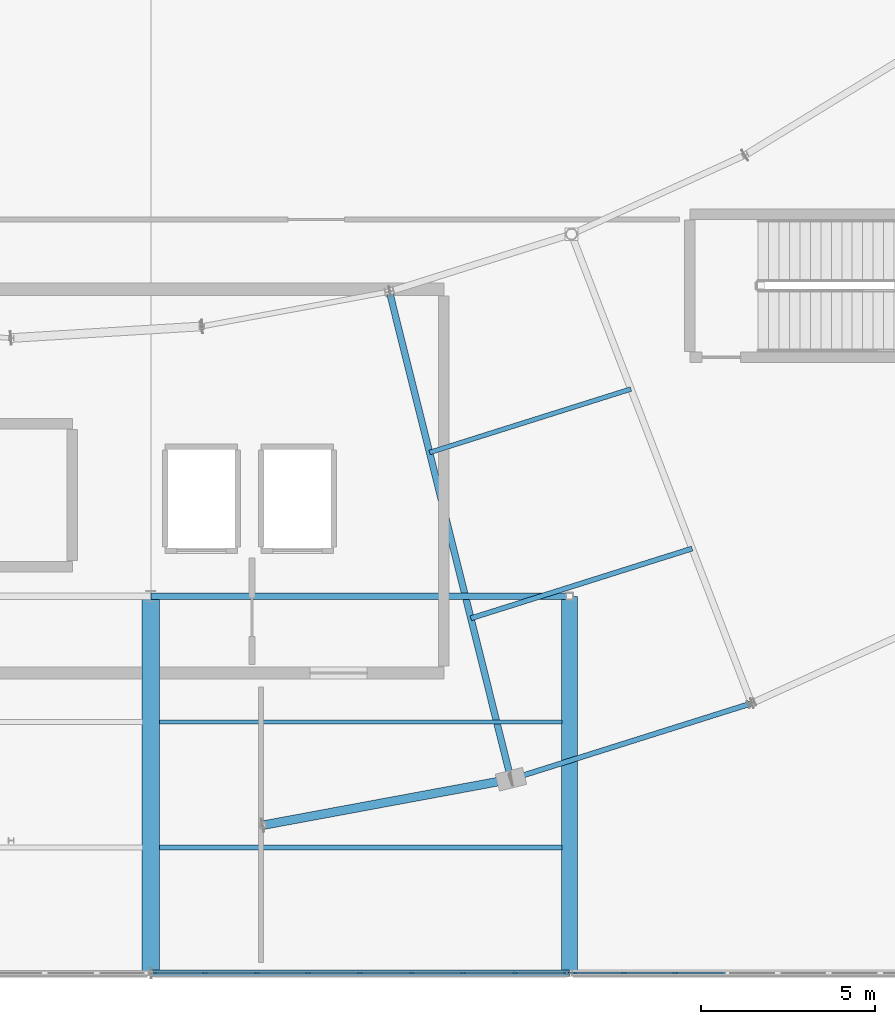
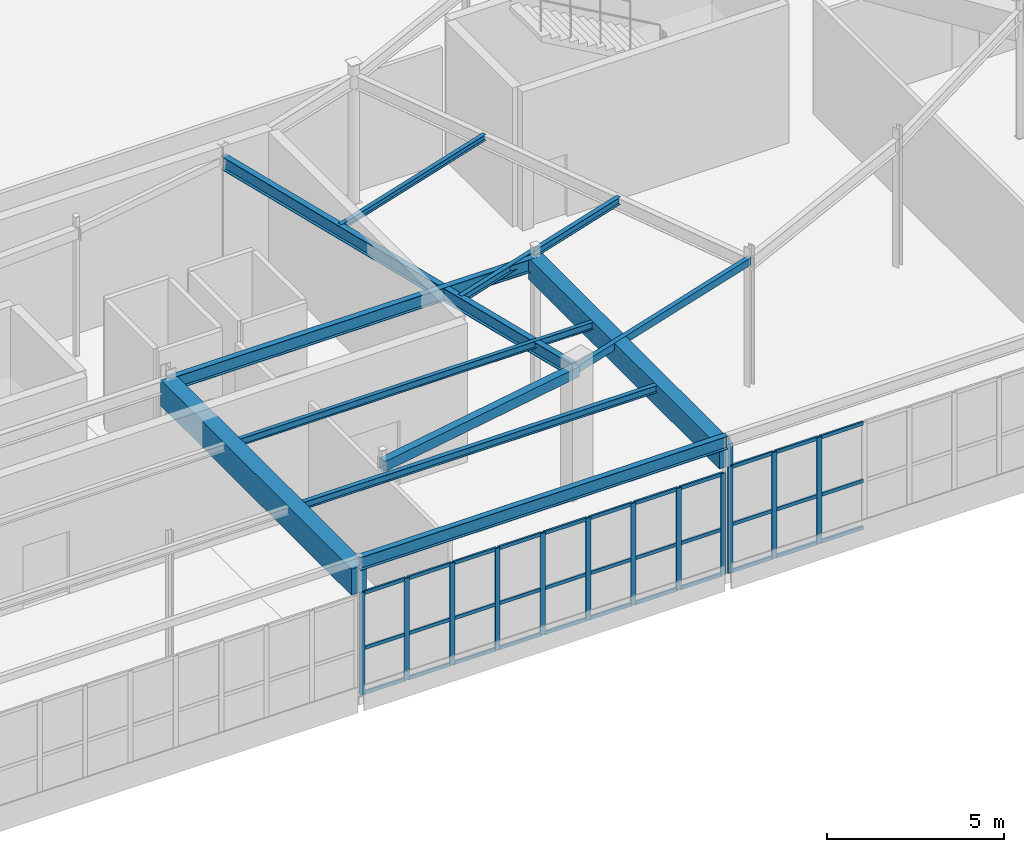
# One storey, part 62 of 186: 45 members, 11 beams, 2 elements without a shape of their own.
"""IFC4 building model written with IfcOpenShell, lengths in metres."""

from ifc_helpers import new_model, si_unit, direction, frame, origin, origin_2d, place, context, subcontext, project, spatial, rectangle, hollow_rectangle, i_section, extrude, material, layer, layer_set, material_profile, profile_set, type_object, element, aggregate, save


model = new_model("IFC4")

# Units and contexts
model_context = context("Model", 3, precision=1e-05, world=origin(), true_north=direction((0.0, 1.0)))
body_context = subcontext(model_context, "Body", "Model", "MODEL_VIEW")
ifc_project = project(units=[si_unit("LENGTHUNIT", "METRE"), si_unit("AREAUNIT", "SQUARE_METRE"), si_unit("VOLUMEUNIT", "CUBIC_METRE"), si_unit("PLANEANGLEUNIT", "RADIAN"), si_unit("MASSUNIT", "GRAM", prefix="KILO")], contexts=[model_context])

# Site, building, storey
site_placement = place(None, origin())
site = spatial("IfcSite", under=ifc_project, at=site_placement, CompositionType="ELEMENT")
building_placement = place(site_placement, origin())
building = spatial("IfcBuilding", under=site, at=building_placement, Name="Tarnwether General Hospital", CompositionType="ELEMENT")
storey_placement = place(building_placement, frame((0.0, 0.0, 9.60009765625)))
storey = spatial("IfcBuildingStorey", under=building, at=storey_placement, Name="L02", CompositionType="ELEMENT", Elevation=9.60009765625)

# Beams
ifc_material_1 = material(Name="Steel Grade 350 (350 MPa)", Category="steel")
ifc_material_profile_1 = material_profile(ifc_material_1, i_section(OverallWidth=0.19091796875, OverallDepth=0.4599609375, WebThickness=0.010009765625, FlangeThickness=0.01611328125, at=origin_2d()), Name="460UB82.1")
ifc_profile_set_1 = profile_set([ifc_material_profile_1], Name="Steel Grade 350 (350 MPa)")
beam_type_1 = type_object("IfcBeamType", Name="BM-G08", PredefinedType="BEAM", material=ifc_profile_set_1)
beam_1_placement = place(storey_placement, frame((106.322021484375, 5.55810546875, 4.199951171875), z_axis=(-0.241941215118, 0.970290909175, 0.0), x_axis=(-0.970290909175, -0.241941215118, 0.0)))
element("IfcBeam", 1, at=beam_1_placement, inside=storey, type_object=beam_type_1, Name="Curved Ward SE Radial Girder BMG-L02-10632_556-10284_1953-2071", PredefinedType="BEAM", context=body_context, shape_type="SweptSolid", body=[
    extrude(i_section(OverallWidth=0.19091796875, OverallDepth=0.4599609375, WebThickness=0.010009765625, FlangeThickness=0.01611328125, at=origin_2d()), origin(), (0.0, 0.0, 1.0), 14.400634765625),
])
ifc_material_2 = material(Name="Steel Grade 350 (350 MPa)", Category="steel")
ifc_material_profile_2 = material_profile(ifc_material_2, i_section(OverallWidth=0.18994140625, OverallDepth=0.4541015625, WebThickness=0.008544921875, FlangeThickness=0.0126953125, at=origin_2d()), Name="460UB67.1")
ifc_profile_set_2 = profile_set([ifc_material_profile_2], Name="Steel Grade 350 (350 MPa)")
beam_type_2 = type_object("IfcBeamType", Name="BM-G10", PredefinedType="BEAM", material=ifc_profile_set_2)
beam_2_placement = place(storey_placement, frame((96.0, 10.800048828125, 4.202880859375), z_axis=(1.0, 0.0, 0.0), x_axis=(0.0, 1.0, 0.0)))
element("IfcBeam", 2, at=beam_2_placement, inside=storey, type_object=beam_type_2, Name="Primary Girder BMG-L02-9600_1080-10800_1080-1523", PredefinedType="BEAM", context=body_context, shape_type="SweptSolid", body=[
    extrude(i_section(OverallWidth=0.18994140625, OverallDepth=0.4541015625, WebThickness=0.008544921875, FlangeThickness=0.0126953125, at=origin_2d()), origin(), (0.0, 0.0, 1.0), 12.0),
])
ifc_material_3 = material(Name="Concrete 40 MPa", Category="concrete")
ifc_material_profile_3 = material_profile(ifc_material_3, rectangle(XDim=0.5, YDim=0.89990234375, at=origin_2d()), Name="RC-BM-500x900")
ifc_profile_set_3 = profile_set([ifc_material_profile_3], Name="Concrete 40 MPa")
beam_type_3 = type_object("IfcBeamType", Name="BM-G12", PredefinedType="BEAM", material=ifc_profile_set_3)
beam_3_placement = place(storey_placement, frame((96.0, 0.0, 3.97998046875), z_axis=(0.0, 1.0, 0.0), x_axis=(-1.0, 0.0, 0.0)))
element("IfcBeam", 3, at=beam_3_placement, inside=storey, type_object=beam_type_3, Name="Primary Girder BMG-L02-9600_0-9600_1080-1522", PredefinedType="BEAM", context=body_context, shape_type="SweptSolid", body=[
    extrude(rectangle(XDim=0.5, YDim=0.89990234375, at=origin_2d()), origin(), (0.0, 0.0, 1.0), 10.800048828125),
])
ifc_material_4 = material(Name="Concrete 40 MPa", Category="concrete")
ifc_material_profile_4 = material_profile(ifc_material_4, rectangle(XDim=0.449951171875, YDim=0.75, at=origin_2d()), Name="RC-BM-450x750")
ifc_profile_set_4 = profile_set([ifc_material_profile_4], Name="Concrete 40 MPa")
beam_type_4 = type_object("IfcBeamType", Name="BM-G13", PredefinedType="BEAM", material=ifc_profile_set_4)
beam_4_placement = place(storey_placement, frame((108.0, 0.0, 4.054931640625), z_axis=(0.0, 1.0, 0.0), x_axis=(-1.0, 0.0, 0.0)))
element("IfcBeam", 4, at=beam_4_placement, inside=storey, type_object=beam_type_4, Name="Primary Girder BMG-L02-10800_0-10800_1080-1534", PredefinedType="BEAM", context=body_context, shape_type="SweptSolid", body=[
    extrude(rectangle(XDim=0.449951171875, YDim=0.75, at=origin_2d()), origin(), (0.0, 0.0, 1.0), 10.800048828125),
])
ifc_material_5 = material(Name="Steel Grade 350 (350 MPa)", Category="steel")
ifc_material_profile_5 = material_profile(ifc_material_5, i_section(OverallWidth=0.14599609375, OverallDepth=0.256103515625, WebThickness=0.00634765625, FlangeThickness=0.010986328125, at=origin_2d()), Name="250UB37.3")
ifc_profile_set_5 = profile_set([ifc_material_profile_5], Name="Steel Grade 350 (350 MPa)")
beam_type_5 = type_object("IfcBeamType", Name="BM-J09", PredefinedType="JOIST", material=ifc_profile_set_5)
beam_5_placement = place(storey_placement, frame((105.172119140625, 10.1689453125, 4.302001953125), z_axis=(0.953671429399, 0.300850136693, 0.0), x_axis=(-0.300850136693, 0.953671429399, 0.0)))
element("IfcBeam", 5, at=beam_5_placement, inside=storey, type_object=beam_type_5, Name="Curved Ward SE Chord Joist BMG-L02-10517_1017-11151_1217-2092", PredefinedType="JOIST", context=body_context, shape_type="SweptSolid", body=[
    extrude(i_section(OverallWidth=0.14599609375, OverallDepth=0.256103515625, WebThickness=0.00634765625, FlangeThickness=0.010986328125, at=origin_2d()), origin(), (0.0, 0.0, 1.0), 6.64794921875),
])
ifc_material_6 = material(Name="Steel Grade 350 (350 MPa)", Category="steel")
ifc_material_profile_6 = material_profile(ifc_material_6, i_section(OverallWidth=0.14599609375, OverallDepth=0.251953125, WebThickness=0.006103515625, FlangeThickness=0.008544921875, at=origin_2d()), Name="250UB31.4")
ifc_profile_set_6 = profile_set([ifc_material_profile_6], Name="Steel Grade 350 (350 MPa)")
beam_type_6 = type_object("IfcBeamType", Name="BM-J10", PredefinedType="JOIST", material=ifc_profile_set_6)
beam_6_placement = place(storey_placement, frame((96.243896484375, 3.60009765625, 4.303955078125), z_axis=(1.0, 0.0, 0.0), x_axis=(0.0, 1.0, 0.0)))
element("IfcBeam", 6, at=beam_6_placement, inside=storey, type_object=beam_type_6, Name="Composite Floor Joist BMG-L02-9624_360-10778_360-1692", PredefinedType="JOIST", context=body_context, shape_type="SweptSolid", body=[
    extrude(i_section(OverallWidth=0.14599609375, OverallDepth=0.251953125, WebThickness=0.006103515625, FlangeThickness=0.008544921875, at=origin_2d()), origin(), (0.0, 0.0, 1.0), 11.537109375),
])
ifc_material_7 = material(Name="Steel Grade 350 (350 MPa)", Category="steel")
ifc_material_profile_7 = material_profile(ifc_material_7, i_section(OverallWidth=0.1240234375, OverallDepth=0.248046875, WebThickness=0.0048828125, FlangeThickness=0.008056640625, at=origin_2d()), Name="250UB25.7")
ifc_profile_set_7 = profile_set([ifc_material_profile_7], Name="Steel Grade 350 (350 MPa)")
beam_type_7 = type_object("IfcBeamType", Name="BM-J11", PredefinedType="JOIST", material=ifc_profile_set_7)
beam_7_placement = place(storey_placement, frame((96.243896484375, 7.199951171875, 4.305908203125), z_axis=(1.0, 0.0, 0.0), x_axis=(0.0, 1.0, 0.0)))
element("IfcBeam", 7, at=beam_7_placement, inside=storey, type_object=beam_type_7, Name="Composite Floor Joist BMG-L02-9624_720-10778_720-1693", PredefinedType="JOIST", context=body_context, shape_type="SweptSolid", body=[
    extrude(i_section(OverallWidth=0.1240234375, OverallDepth=0.248046875, WebThickness=0.0048828125, FlangeThickness=0.008056640625, at=origin_2d()), origin(), (0.0, 0.0, 1.0), 11.537109375),
])
ifc_material_8 = material(Name="Steel Grade 350 (350 MPa)", Category="steel")
ifc_material_profile_8 = material_profile(ifc_material_8, i_section(OverallWidth=0.134033203125, OverallDepth=0.20703125, WebThickness=0.00634765625, FlangeThickness=0.009521484375, at=origin_2d()), Name="200UB29.8")
ifc_profile_set_8 = profile_set([ifc_material_profile_8], Name="Steel Grade 350 (350 MPa)")
beam_type_8 = type_object("IfcBeamType", Name="BM-J12", PredefinedType="JOIST", material=ifc_profile_set_8)
beam_8_placement = place(storey_placement, frame((103.988037109375, 14.919921875, 4.326416015625), z_axis=(0.953725879816, 0.300677478654, 0.0), x_axis=(-0.300677478654, 0.953725879816, 0.0)))
element("IfcBeam", 8, at=beam_8_placement, inside=storey, type_object=beam_type_8, Name="Curved Ward SE Chord Joist BMG-L02-10399_1492-10976_1674-2093", PredefinedType="JOIST", context=body_context, shape_type="SweptSolid", body=[
    extrude(i_section(OverallWidth=0.134033203125, OverallDepth=0.20703125, WebThickness=0.00634765625, FlangeThickness=0.009521484375, at=origin_2d()), origin(), (0.0, 0.0, 1.0), 6.050048828125),
])
ifc_material_9 = material(Name="Steel Grade 350 (350 MPa)", Category="steel")
ifc_material_profile_9 = material_profile(ifc_material_9, i_section(OverallWidth=0.18994140625, OverallDepth=0.4541015625, WebThickness=0.008544921875, FlangeThickness=0.0126953125, at=origin_2d()), Name="460UB67.1")
ifc_profile_set_9 = profile_set([ifc_material_profile_9], Name="Steel Grade 350 (350 MPa)")
beam_type_9 = type_object("IfcBeamType", Name="BM-SP1", PredefinedType="SPANDREL", material=ifc_profile_set_9)
beam_9_placement = place(storey_placement, frame((96.0, 0.0, 4.572998046875), z_axis=(1.0, 0.0, 0.0), x_axis=(0.0, 1.0, 0.0)))
element("IfcBeam", 9, at=beam_9_placement, inside=storey, type_object=beam_type_9, Name="Primary Girder BMG-L02-9600_0-10800_0-1521", PredefinedType="SPANDREL", context=body_context, shape_type="SweptSolid", body=[
    extrude(i_section(OverallWidth=0.18994140625, OverallDepth=0.4541015625, WebThickness=0.008544921875, FlangeThickness=0.0126953125, at=origin_2d()), origin(), (0.0, 0.0, 1.0), 12.0),
])
ifc_material_10 = material(Name="Steel Grade C350L0 (350 MPa)", Category="steel")
ifc_material_profile_10 = material_profile(ifc_material_10, hollow_rectangle(XDim=0.25, YDim=0.35009765625, WallThickness=0.012451171875, at=origin_2d()), Name="RHS350x250x12.5")
ifc_profile_set_10 = profile_set([ifc_material_profile_10], Name="Steel Grade C350L0 (350 MPa)")
beam_type_10 = type_object("IfcBeamType", Name="BM-SP7", PredefinedType="SPANDREL", material=ifc_profile_set_10)
beam_10_placement = place(storey_placement, frame((99.215087890625, 4.240966796875, 4.2548828125), z_axis=(0.98325623662, 0.182228354399, 0.0), x_axis=(-0.182228354399, 0.98325623662, 0.0)))
element("IfcBeam", 10, at=beam_10_placement, inside=storey, type_object=beam_type_10, Name="Curved Ward SE Outer Spandrel BMG-L02-9922_424-10632_556-2088", PredefinedType="SPANDREL", context=body_context, shape_type="SweptSolid", body=[
    extrude(hollow_rectangle(XDim=0.25, YDim=0.35009765625, WallThickness=0.012451171875, at=origin_2d()), origin(), (0.0, 0.0, 1.0), 7.22802734375),
])
ifc_material_11 = material(Name="Steel Grade C350L0 (350 MPa)", Category="steel")
ifc_material_profile_11 = material_profile(ifc_material_11, hollow_rectangle(XDim=0.14990234375, YDim=0.25, WallThickness=0.008056640625, at=origin_2d()), Name="RHS250x150x8")
ifc_profile_set_11 = profile_set([ifc_material_profile_11], Name="Steel Grade C350L0 (350 MPa)")
beam_type_11 = type_object("IfcBeamType", Name="BM-SP8", PredefinedType="SPANDREL", material=ifc_profile_set_11)
beam_11_placement = place(storey_placement, frame((106.322021484375, 5.55810546875, 4.304931640625), z_axis=(0.953698988948, 0.300762761125, 0.0), x_axis=(-0.300762761125, 0.953698988948, 0.0)))
element("IfcBeam", 11, at=beam_11_placement, inside=storey, type_object=beam_type_11, Name="Curved Ward SE Outer Spandrel BMG-L02-10632_556-11322_773-2090", PredefinedType="SPANDREL", context=body_context, shape_type="SweptSolid", body=[
    extrude(hollow_rectangle(XDim=0.14990234375, YDim=0.25, WallThickness=0.008056640625, at=origin_2d()), origin(), (0.0, 0.0, 1.0), 7.227783203125),
])

# Curtain wall, members
ifc_material_12 = material(Name="Anodised aluminium", Category="aluminium")
ifc_layer = layer(ifc_material_12, 0.159912109375)
ifc_layer_set = layer_set([ifc_layer], Name="Anodised aluminium")
curtain_wall_type = type_object("IfcCurtainWallType", Name="CW-13", PredefinedType="NOTDEFINED", material=ifc_layer_set)
curtain_wall_1_placement = place(storey_placement, origin())
curtain_wall_1 = element("IfcCurtainWall", 12, at=curtain_wall_1_placement, inside=storey, type_object=curtain_wall_type, Name="Curtain Wall CWG-L02-1198_0-0410", PredefinedType="NOTDEFINED")
ifc_material_13 = material(Name="Anodised aluminium", Category="aluminium")
ifc_material_profile_12 = material_profile(ifc_material_13, rectangle(XDim=0.06005859375, YDim=0.159912109375, at=origin_2d()), Name="ALU-MUL-60x160")
ifc_profile_set_12 = profile_set([ifc_material_profile_12], Name="Anodised aluminium")
member_type_1 = type_object("IfcMemberType", Name="CW-ML1", PredefinedType="MULLION", material=ifc_profile_set_12)
member_1_placement = place(storey_placement, frame((111.0234375, 0.0, 0.0), z_axis=(0.0, 0.0, 1.0), x_axis=(0.0, -1.0, 0.0)))
member_1 = element("IfcMember", 13, at=member_1_placement, type_object=member_type_1, Name="CW-13 mullion 7", PredefinedType="MULLION", context=body_context, shape_type="SweptSolid", body=[
    extrude(rectangle(XDim=0.06005859375, YDim=0.159912109375, at=origin_2d()), origin(), (0.0, 0.0, 1.0), 3.664794921875),
])
member_2_placement = place(storey_placement, frame((109.5537109375, 0.0, 0.0), z_axis=(0.0, 0.0, 1.0), x_axis=(0.0, -1.0, 0.0)))
member_2 = element("IfcMember", 14, at=member_2_placement, type_object=member_type_1, Name="CW-13 mullion 8", PredefinedType="MULLION", context=body_context, shape_type="SweptSolid", body=[
    extrude(rectangle(XDim=0.06005859375, YDim=0.159912109375, at=origin_2d()), origin(), (0.0, 0.0, 1.0), 3.664794921875),
])
member_3_placement = place(storey_placement, frame((108.114013671875, 0.0, 0.0), z_axis=(0.0, 0.0, 1.0), x_axis=(0.0, -1.0, 0.0)))
member_3 = element("IfcMember", 15, at=member_3_placement, type_object=member_type_1, Name="CW-13 mullion 9", PredefinedType="MULLION", context=body_context, shape_type="SweptSolid", body=[
    extrude(rectangle(XDim=0.06005859375, YDim=0.159912109375, at=origin_2d()), origin(), (0.0, 0.0, 1.0), 3.664794921875),
])

curtain_wall_2_placement = place(storey_placement, origin())
curtain_wall_2 = element("IfcCurtainWall", 16, at=curtain_wall_2_placement, inside=storey, type_object=curtain_wall_type, Name="Curtain Wall CWG-L02-1079_0-0411", PredefinedType="NOTDEFINED")
member_4_placement = place(storey_placement, frame((107.885986328125, 0.0, 0.0), z_axis=(0.0, 0.0, 1.0), x_axis=(0.0, -1.0, 0.0)))
member_4 = element("IfcMember", 17, at=member_4_placement, type_object=member_type_1, Name="CW-13 mullion 1", PredefinedType="MULLION", context=body_context, shape_type="SweptSolid", body=[
    extrude(rectangle(XDim=0.06005859375, YDim=0.159912109375, at=origin_2d()), origin(), (0.0, 0.0, 1.0), 3.514892578125),
])
member_5_placement = place(storey_placement, frame((106.435302734375, 0.0, 0.0), z_axis=(0.0, 0.0, 1.0), x_axis=(0.0, -1.0, 0.0)))
member_5 = element("IfcMember", 18, at=member_5_placement, type_object=member_type_1, Name="CW-13 mullion 2", PredefinedType="MULLION", context=body_context, shape_type="SweptSolid", body=[
    extrude(rectangle(XDim=0.06005859375, YDim=0.159912109375, at=origin_2d()), origin(), (0.0, 0.0, 1.0), 3.514892578125),
])
member_6_placement = place(storey_placement, frame((104.954833984375, 0.0, 0.0), z_axis=(0.0, 0.0, 1.0), x_axis=(0.0, -1.0, 0.0)))
member_6 = element("IfcMember", 19, at=member_6_placement, type_object=member_type_1, Name="CW-13 mullion 3", PredefinedType="MULLION", context=body_context, shape_type="SweptSolid", body=[
    extrude(rectangle(XDim=0.06005859375, YDim=0.159912109375, at=origin_2d()), origin(), (0.0, 0.0, 1.0), 3.514892578125),
])
member_7_placement = place(storey_placement, frame((103.47412109375, 0.0, 0.0), z_axis=(0.0, 0.0, 1.0), x_axis=(0.0, -1.0, 0.0)))
member_7 = element("IfcMember", 20, at=member_7_placement, type_object=member_type_1, Name="CW-13 mullion 4", PredefinedType="MULLION", context=body_context, shape_type="SweptSolid", body=[
    extrude(rectangle(XDim=0.06005859375, YDim=0.159912109375, at=origin_2d()), origin(), (0.0, 0.0, 1.0), 3.514892578125),
])
member_8_placement = place(storey_placement, frame((101.993408203125, 0.0, 0.0), z_axis=(0.0, 0.0, 1.0), x_axis=(0.0, -1.0, 0.0)))
member_8 = element("IfcMember", 21, at=member_8_placement, type_object=member_type_1, Name="CW-13 mullion 5", PredefinedType="MULLION", context=body_context, shape_type="SweptSolid", body=[
    extrude(rectangle(XDim=0.06005859375, YDim=0.159912109375, at=origin_2d()), origin(), (0.0, 0.0, 1.0), 3.514892578125),
])
member_9_placement = place(storey_placement, frame((100.512939453125, 0.0, 0.0), z_axis=(0.0, 0.0, 1.0), x_axis=(0.0, -1.0, 0.0)))
member_9 = element("IfcMember", 22, at=member_9_placement, type_object=member_type_1, Name="CW-13 mullion 6", PredefinedType="MULLION", context=body_context, shape_type="SweptSolid", body=[
    extrude(rectangle(XDim=0.06005859375, YDim=0.159912109375, at=origin_2d()), origin(), (0.0, 0.0, 1.0), 3.514892578125),
])
member_10_placement = place(storey_placement, frame((99.0322265625, 0.0, 0.0), z_axis=(0.0, 0.0, 1.0), x_axis=(0.0, -1.0, 0.0)))
member_10 = element("IfcMember", 23, at=member_10_placement, type_object=member_type_1, Name="CW-13 mullion 7", PredefinedType="MULLION", context=body_context, shape_type="SweptSolid", body=[
    extrude(rectangle(XDim=0.06005859375, YDim=0.159912109375, at=origin_2d()), origin(), (0.0, 0.0, 1.0), 3.514892578125),
])
member_11_placement = place(storey_placement, frame((97.551513671875, 0.0, 0.0), z_axis=(0.0, 0.0, 1.0), x_axis=(0.0, -1.0, 0.0)))
member_11 = element("IfcMember", 24, at=member_11_placement, type_object=member_type_1, Name="CW-13 mullion 8", PredefinedType="MULLION", context=body_context, shape_type="SweptSolid", body=[
    extrude(rectangle(XDim=0.06005859375, YDim=0.159912109375, at=origin_2d()), origin(), (0.0, 0.0, 1.0), 3.514892578125),
])
member_12_placement = place(storey_placement, frame((96.10107421875, 0.0, 0.0), z_axis=(0.0, 0.0, 1.0), x_axis=(0.0, -1.0, 0.0)))
member_12 = element("IfcMember", 25, at=member_12_placement, type_object=member_type_1, Name="CW-13 mullion 9", PredefinedType="MULLION", context=body_context, shape_type="SweptSolid", body=[
    extrude(rectangle(XDim=0.06005859375, YDim=0.159912109375, at=origin_2d()), origin(), (0.0, 0.0, 1.0), 3.514892578125),
])

# Member
ifc_material_14 = material(Name="Anodised aluminium", Category="aluminium")
ifc_material_profile_13 = material_profile(ifc_material_14, rectangle(XDim=0.06005859375, YDim=0.1201171875, at=origin_2d()), Name="ALU-TRN-60x120")
ifc_profile_set_13 = profile_set([ifc_material_profile_13], Name="Anodised aluminium")
member_type_2 = type_object("IfcMemberType", Name="CW-TR1", PredefinedType="USERDEFINED", material=ifc_profile_set_13)
member_13_placement = place(storey_placement, frame((112.463134765625, 0.0, 0.02978515625), z_axis=(-1.0, 0.0, 0.0), x_axis=(0.0, -1.0, 0.0)))
member_13 = element("IfcMember", 26, at=member_13_placement, type_object=member_type_2, Name="CW-13 transom 6.1", ObjectType="TRANSOM", PredefinedType="USERDEFINED", context=body_context, shape_type="SweptSolid", body=[
    extrude(rectangle(XDim=0.06005859375, YDim=0.1201171875, at=origin_2d()), origin(), (0.0, 0.0, 1.0), 1.40966796875),
])

member_14_placement = place(storey_placement, frame((112.463134765625, 0.0, 1.649169921875), z_axis=(-1.0, 0.0, 0.0), x_axis=(0.0, -1.0, 0.0)))
member_14 = element("IfcMember", 27, at=member_14_placement, type_object=member_type_2, Name="CW-13 transom 6.2", ObjectType="TRANSOM", PredefinedType="USERDEFINED", context=body_context, shape_type="SweptSolid", body=[
    extrude(rectangle(XDim=0.06005859375, YDim=0.1201171875, at=origin_2d()), origin(), (0.0, 0.0, 1.0), 1.40966796875),
])

member_15_placement = place(storey_placement, frame((112.463134765625, 0.0, 3.635009765625), z_axis=(-1.0, 0.0, 0.0), x_axis=(0.0, -1.0, 0.0)))
member_15 = element("IfcMember", 28, at=member_15_placement, type_object=member_type_2, Name="CW-13 transom 6.3", ObjectType="TRANSOM", PredefinedType="USERDEFINED", context=body_context, shape_type="SweptSolid", body=[
    extrude(rectangle(XDim=0.06005859375, YDim=0.1201171875, at=origin_2d()), origin(), (0.0, 0.0, 1.0), 1.40966796875),
])

member_16_placement = place(storey_placement, frame((110.993408203125, 0.0, 0.02978515625), z_axis=(-1.0, 0.0, 0.0), x_axis=(0.0, -1.0, 0.0)))
member_16 = element("IfcMember", 29, at=member_16_placement, type_object=member_type_2, Name="CW-13 transom 7.1", ObjectType="TRANSOM", PredefinedType="USERDEFINED", context=body_context, shape_type="SweptSolid", body=[
    extrude(rectangle(XDim=0.06005859375, YDim=0.1201171875, at=origin_2d()), origin(), (0.0, 0.0, 1.0), 1.40966796875),
])

member_17_placement = place(storey_placement, frame((110.993408203125, 0.0, 1.649169921875), z_axis=(-1.0, 0.0, 0.0), x_axis=(0.0, -1.0, 0.0)))
member_17 = element("IfcMember", 30, at=member_17_placement, type_object=member_type_2, Name="CW-13 transom 7.2", ObjectType="TRANSOM", PredefinedType="USERDEFINED", context=body_context, shape_type="SweptSolid", body=[
    extrude(rectangle(XDim=0.06005859375, YDim=0.1201171875, at=origin_2d()), origin(), (0.0, 0.0, 1.0), 1.40966796875),
])

member_18_placement = place(storey_placement, frame((110.993408203125, 0.0, 3.635009765625), z_axis=(-1.0, 0.0, 0.0), x_axis=(0.0, -1.0, 0.0)))
member_18 = element("IfcMember", 31, at=member_18_placement, type_object=member_type_2, Name="CW-13 transom 7.3", ObjectType="TRANSOM", PredefinedType="USERDEFINED", context=body_context, shape_type="SweptSolid", body=[
    extrude(rectangle(XDim=0.06005859375, YDim=0.1201171875, at=origin_2d()), origin(), (0.0, 0.0, 1.0), 1.40966796875),
])

member_19_placement = place(storey_placement, frame((109.523681640625, 0.0, 0.02978515625), z_axis=(-1.0, 0.0, 0.0), x_axis=(0.0, -1.0, 0.0)))
member_19 = element("IfcMember", 32, at=member_19_placement, type_object=member_type_2, Name="CW-13 transom 8.1", ObjectType="TRANSOM", PredefinedType="USERDEFINED", context=body_context, shape_type="SweptSolid", body=[
    extrude(rectangle(XDim=0.06005859375, YDim=0.1201171875, at=origin_2d()), origin(), (0.0, 0.0, 1.0), 1.379638671875),
])

member_20_placement = place(storey_placement, frame((109.523681640625, 0.0, 1.649169921875), z_axis=(-1.0, 0.0, 0.0), x_axis=(0.0, -1.0, 0.0)))
member_20 = element("IfcMember", 33, at=member_20_placement, type_object=member_type_2, Name="CW-13 transom 8.2", ObjectType="TRANSOM", PredefinedType="USERDEFINED", context=body_context, shape_type="SweptSolid", body=[
    extrude(rectangle(XDim=0.06005859375, YDim=0.1201171875, at=origin_2d()), origin(), (0.0, 0.0, 1.0), 1.379638671875),
])

member_21_placement = place(storey_placement, frame((109.523681640625, 0.0, 3.635009765625), z_axis=(-1.0, 0.0, 0.0), x_axis=(0.0, -1.0, 0.0)))
member_21 = element("IfcMember", 34, at=member_21_placement, type_object=member_type_2, Name="CW-13 transom 8.3", ObjectType="TRANSOM", PredefinedType="USERDEFINED", context=body_context, shape_type="SweptSolid", body=[
    extrude(rectangle(XDim=0.06005859375, YDim=0.1201171875, at=origin_2d()), origin(), (0.0, 0.0, 1.0), 1.379638671875),
])

aggregate(curtain_wall_1, [member_1, member_2, member_3, member_13, member_14, member_15, member_16, member_17, member_18, member_19, member_20, member_21])

member_22_placement = place(storey_placement, frame((107.85595703125, 0.0, 0.02978515625), z_axis=(-1.0, 0.0, 0.0), x_axis=(0.0, -1.0, 0.0)))
member_22 = element("IfcMember", 35, at=member_22_placement, type_object=member_type_2, Name="CW-13 transom 1.1", ObjectType="TRANSOM", PredefinedType="USERDEFINED", context=body_context, shape_type="SweptSolid", body=[
    extrude(rectangle(XDim=0.06005859375, YDim=0.1201171875, at=origin_2d()), origin(), (0.0, 0.0, 1.0), 1.390625),
])

member_23_placement = place(storey_placement, frame((107.85595703125, 0.0, 1.58154296875), z_axis=(-1.0, 0.0, 0.0), x_axis=(0.0, -1.0, 0.0)))
member_23 = element("IfcMember", 36, at=member_23_placement, type_object=member_type_2, Name="CW-13 transom 1.2", ObjectType="TRANSOM", PredefinedType="USERDEFINED", context=body_context, shape_type="SweptSolid", body=[
    extrude(rectangle(XDim=0.06005859375, YDim=0.1201171875, at=origin_2d()), origin(), (0.0, 0.0, 1.0), 1.390625),
])

member_24_placement = place(storey_placement, frame((107.85595703125, 0.0, 3.48486328125), z_axis=(-1.0, 0.0, 0.0), x_axis=(0.0, -1.0, 0.0)))
member_24 = element("IfcMember", 37, at=member_24_placement, type_object=member_type_2, Name="CW-13 transom 1.3", ObjectType="TRANSOM", PredefinedType="USERDEFINED", context=body_context, shape_type="SweptSolid", body=[
    extrude(rectangle(XDim=0.06005859375, YDim=0.1201171875, at=origin_2d()), origin(), (0.0, 0.0, 1.0), 1.390625),
])

member_25_placement = place(storey_placement, frame((106.4052734375, 0.0, 0.02978515625), z_axis=(-1.0, 0.0, 0.0), x_axis=(0.0, -1.0, 0.0)))
member_25 = element("IfcMember", 38, at=member_25_placement, type_object=member_type_2, Name="CW-13 transom 2.1", ObjectType="TRANSOM", PredefinedType="USERDEFINED", context=body_context, shape_type="SweptSolid", body=[
    extrude(rectangle(XDim=0.06005859375, YDim=0.1201171875, at=origin_2d()), origin(), (0.0, 0.0, 1.0), 1.42041015625),
])

member_26_placement = place(storey_placement, frame((106.4052734375, 0.0, 1.58154296875), z_axis=(-1.0, 0.0, 0.0), x_axis=(0.0, -1.0, 0.0)))
member_26 = element("IfcMember", 39, at=member_26_placement, type_object=member_type_2, Name="CW-13 transom 2.2", ObjectType="TRANSOM", PredefinedType="USERDEFINED", context=body_context, shape_type="SweptSolid", body=[
    extrude(rectangle(XDim=0.06005859375, YDim=0.1201171875, at=origin_2d()), origin(), (0.0, 0.0, 1.0), 1.42041015625),
])

member_27_placement = place(storey_placement, frame((106.4052734375, 0.0, 3.48486328125), z_axis=(-1.0, 0.0, 0.0), x_axis=(0.0, -1.0, 0.0)))
member_27 = element("IfcMember", 40, at=member_27_placement, type_object=member_type_2, Name="CW-13 transom 2.3", ObjectType="TRANSOM", PredefinedType="USERDEFINED", context=body_context, shape_type="SweptSolid", body=[
    extrude(rectangle(XDim=0.06005859375, YDim=0.1201171875, at=origin_2d()), origin(), (0.0, 0.0, 1.0), 1.42041015625),
])

member_28_placement = place(storey_placement, frame((104.9248046875, 0.0, 0.02978515625), z_axis=(-1.0, 0.0, 0.0), x_axis=(0.0, -1.0, 0.0)))
member_28 = element("IfcMember", 41, at=member_28_placement, type_object=member_type_2, Name="CW-13 transom 3.1", ObjectType="TRANSOM", PredefinedType="USERDEFINED", context=body_context, shape_type="SweptSolid", body=[
    extrude(rectangle(XDim=0.06005859375, YDim=0.1201171875, at=origin_2d()), origin(), (0.0, 0.0, 1.0), 1.420654296875),
])

member_29_placement = place(storey_placement, frame((104.9248046875, 0.0, 1.58154296875), z_axis=(-1.0, 0.0, 0.0), x_axis=(0.0, -1.0, 0.0)))
member_29 = element("IfcMember", 42, at=member_29_placement, type_object=member_type_2, Name="CW-13 transom 3.2", ObjectType="TRANSOM", PredefinedType="USERDEFINED", context=body_context, shape_type="SweptSolid", body=[
    extrude(rectangle(XDim=0.06005859375, YDim=0.1201171875, at=origin_2d()), origin(), (0.0, 0.0, 1.0), 1.420654296875),
])

member_30_placement = place(storey_placement, frame((104.9248046875, 0.0, 3.48486328125), z_axis=(-1.0, 0.0, 0.0), x_axis=(0.0, -1.0, 0.0)))
member_30 = element("IfcMember", 43, at=member_30_placement, type_object=member_type_2, Name="CW-13 transom 3.3", ObjectType="TRANSOM", PredefinedType="USERDEFINED", context=body_context, shape_type="SweptSolid", body=[
    extrude(rectangle(XDim=0.06005859375, YDim=0.1201171875, at=origin_2d()), origin(), (0.0, 0.0, 1.0), 1.420654296875),
])

member_31_placement = place(storey_placement, frame((103.444091796875, 0.0, 0.02978515625), z_axis=(-1.0, 0.0, 0.0), x_axis=(0.0, -1.0, 0.0)))
member_31 = element("IfcMember", 44, at=member_31_placement, type_object=member_type_2, Name="CW-13 transom 4.1", ObjectType="TRANSOM", PredefinedType="USERDEFINED", context=body_context, shape_type="SweptSolid", body=[
    extrude(rectangle(XDim=0.06005859375, YDim=0.1201171875, at=origin_2d()), origin(), (0.0, 0.0, 1.0), 1.420654296875),
])

member_32_placement = place(storey_placement, frame((103.444091796875, 0.0, 1.58154296875), z_axis=(-1.0, 0.0, 0.0), x_axis=(0.0, -1.0, 0.0)))
member_32 = element("IfcMember", 45, at=member_32_placement, type_object=member_type_2, Name="CW-13 transom 4.2", ObjectType="TRANSOM", PredefinedType="USERDEFINED", context=body_context, shape_type="SweptSolid", body=[
    extrude(rectangle(XDim=0.06005859375, YDim=0.1201171875, at=origin_2d()), origin(), (0.0, 0.0, 1.0), 1.420654296875),
])

member_33_placement = place(storey_placement, frame((103.444091796875, 0.0, 3.48486328125), z_axis=(-1.0, 0.0, 0.0), x_axis=(0.0, -1.0, 0.0)))
member_33 = element("IfcMember", 46, at=member_33_placement, type_object=member_type_2, Name="CW-13 transom 4.3", ObjectType="TRANSOM", PredefinedType="USERDEFINED", context=body_context, shape_type="SweptSolid", body=[
    extrude(rectangle(XDim=0.06005859375, YDim=0.1201171875, at=origin_2d()), origin(), (0.0, 0.0, 1.0), 1.420654296875),
])

member_34_placement = place(storey_placement, frame((101.96337890625, 0.0, 0.02978515625), z_axis=(-1.0, 0.0, 0.0), x_axis=(0.0, -1.0, 0.0)))
member_34 = element("IfcMember", 47, at=member_34_placement, type_object=member_type_2, Name="CW-13 transom 5.1", ObjectType="TRANSOM", PredefinedType="USERDEFINED", context=body_context, shape_type="SweptSolid", body=[
    extrude(rectangle(XDim=0.06005859375, YDim=0.1201171875, at=origin_2d()), origin(), (0.0, 0.0, 1.0), 1.42041015625),
])

member_35_placement = place(storey_placement, frame((101.96337890625, 0.0, 1.58154296875), z_axis=(-1.0, 0.0, 0.0), x_axis=(0.0, -1.0, 0.0)))
member_35 = element("IfcMember", 48, at=member_35_placement, type_object=member_type_2, Name="CW-13 transom 5.2", ObjectType="TRANSOM", PredefinedType="USERDEFINED", context=body_context, shape_type="SweptSolid", body=[
    extrude(rectangle(XDim=0.06005859375, YDim=0.1201171875, at=origin_2d()), origin(), (0.0, 0.0, 1.0), 1.42041015625),
])

member_36_placement = place(storey_placement, frame((101.96337890625, 0.0, 3.48486328125), z_axis=(-1.0, 0.0, 0.0), x_axis=(0.0, -1.0, 0.0)))
member_36 = element("IfcMember", 49, at=member_36_placement, type_object=member_type_2, Name="CW-13 transom 5.3", ObjectType="TRANSOM", PredefinedType="USERDEFINED", context=body_context, shape_type="SweptSolid", body=[
    extrude(rectangle(XDim=0.06005859375, YDim=0.1201171875, at=origin_2d()), origin(), (0.0, 0.0, 1.0), 1.42041015625),
])

member_37_placement = place(storey_placement, frame((100.48291015625, 0.0, 0.02978515625), z_axis=(-1.0, 0.0, 0.0), x_axis=(0.0, -1.0, 0.0)))
member_37 = element("IfcMember", 50, at=member_37_placement, type_object=member_type_2, Name="CW-13 transom 6.1", ObjectType="TRANSOM", PredefinedType="USERDEFINED", context=body_context, shape_type="SweptSolid", body=[
    extrude(rectangle(XDim=0.06005859375, YDim=0.1201171875, at=origin_2d()), origin(), (0.0, 0.0, 1.0), 1.420654296875),
])

member_38_placement = place(storey_placement, frame((100.48291015625, 0.0, 1.58154296875), z_axis=(-1.0, 0.0, 0.0), x_axis=(0.0, -1.0, 0.0)))
member_38 = element("IfcMember", 51, at=member_38_placement, type_object=member_type_2, Name="CW-13 transom 6.2", ObjectType="TRANSOM", PredefinedType="USERDEFINED", context=body_context, shape_type="SweptSolid", body=[
    extrude(rectangle(XDim=0.06005859375, YDim=0.1201171875, at=origin_2d()), origin(), (0.0, 0.0, 1.0), 1.420654296875),
])

member_39_placement = place(storey_placement, frame((100.48291015625, 0.0, 3.48486328125), z_axis=(-1.0, 0.0, 0.0), x_axis=(0.0, -1.0, 0.0)))
member_39 = element("IfcMember", 52, at=member_39_placement, type_object=member_type_2, Name="CW-13 transom 6.3", ObjectType="TRANSOM", PredefinedType="USERDEFINED", context=body_context, shape_type="SweptSolid", body=[
    extrude(rectangle(XDim=0.06005859375, YDim=0.1201171875, at=origin_2d()), origin(), (0.0, 0.0, 1.0), 1.420654296875),
])

member_40_placement = place(storey_placement, frame((99.002197265625, 0.0, 0.02978515625), z_axis=(-1.0, 0.0, 0.0), x_axis=(0.0, -1.0, 0.0)))
member_40 = element("IfcMember", 53, at=member_40_placement, type_object=member_type_2, Name="CW-13 transom 7.1", ObjectType="TRANSOM", PredefinedType="USERDEFINED", context=body_context, shape_type="SweptSolid", body=[
    extrude(rectangle(XDim=0.06005859375, YDim=0.1201171875, at=origin_2d()), origin(), (0.0, 0.0, 1.0), 1.420654296875),
])

member_41_placement = place(storey_placement, frame((99.002197265625, 0.0, 1.58154296875), z_axis=(-1.0, 0.0, 0.0), x_axis=(0.0, -1.0, 0.0)))
member_41 = element("IfcMember", 54, at=member_41_placement, type_object=member_type_2, Name="CW-13 transom 7.2", ObjectType="TRANSOM", PredefinedType="USERDEFINED", context=body_context, shape_type="SweptSolid", body=[
    extrude(rectangle(XDim=0.06005859375, YDim=0.1201171875, at=origin_2d()), origin(), (0.0, 0.0, 1.0), 1.420654296875),
])

member_42_placement = place(storey_placement, frame((99.002197265625, 0.0, 3.48486328125), z_axis=(-1.0, 0.0, 0.0), x_axis=(0.0, -1.0, 0.0)))
member_42 = element("IfcMember", 55, at=member_42_placement, type_object=member_type_2, Name="CW-13 transom 7.3", ObjectType="TRANSOM", PredefinedType="USERDEFINED", context=body_context, shape_type="SweptSolid", body=[
    extrude(rectangle(XDim=0.06005859375, YDim=0.1201171875, at=origin_2d()), origin(), (0.0, 0.0, 1.0), 1.420654296875),
])

member_43_placement = place(storey_placement, frame((97.521728515625, 0.0, 0.02978515625), z_axis=(-1.0, 0.0, 0.0), x_axis=(0.0, -1.0, 0.0)))
member_43 = element("IfcMember", 56, at=member_43_placement, type_object=member_type_2, Name="CW-13 transom 8.1", ObjectType="TRANSOM", PredefinedType="USERDEFINED", context=body_context, shape_type="SweptSolid", body=[
    extrude(rectangle(XDim=0.06005859375, YDim=0.1201171875, at=origin_2d()), origin(), (0.0, 0.0, 1.0), 1.390625),
])

member_44_placement = place(storey_placement, frame((97.521728515625, 0.0, 1.58154296875), z_axis=(-1.0, 0.0, 0.0), x_axis=(0.0, -1.0, 0.0)))
member_44 = element("IfcMember", 57, at=member_44_placement, type_object=member_type_2, Name="CW-13 transom 8.2", ObjectType="TRANSOM", PredefinedType="USERDEFINED", context=body_context, shape_type="SweptSolid", body=[
    extrude(rectangle(XDim=0.06005859375, YDim=0.1201171875, at=origin_2d()), origin(), (0.0, 0.0, 1.0), 1.390625),
])

member_45_placement = place(storey_placement, frame((97.521728515625, 0.0, 3.48486328125), z_axis=(-1.0, 0.0, 0.0), x_axis=(0.0, -1.0, 0.0)))
member_45 = element("IfcMember", 58, at=member_45_placement, type_object=member_type_2, Name="CW-13 transom 8.3", ObjectType="TRANSOM", PredefinedType="USERDEFINED", context=body_context, shape_type="SweptSolid", body=[
    extrude(rectangle(XDim=0.06005859375, YDim=0.1201171875, at=origin_2d()), origin(), (0.0, 0.0, 1.0), 1.390625),
])

aggregate(curtain_wall_2, [member_4, member_5, member_6, member_7, member_8, member_9, member_10, member_11, member_12, member_22, member_23, member_24, member_25, member_26, member_27, member_28, member_29, member_30, member_31, member_32, member_33, member_34, member_35, member_36, member_37, member_38, member_39, member_40, member_41, member_42, member_43, member_44, member_45])

save(model, "model.ifc")
